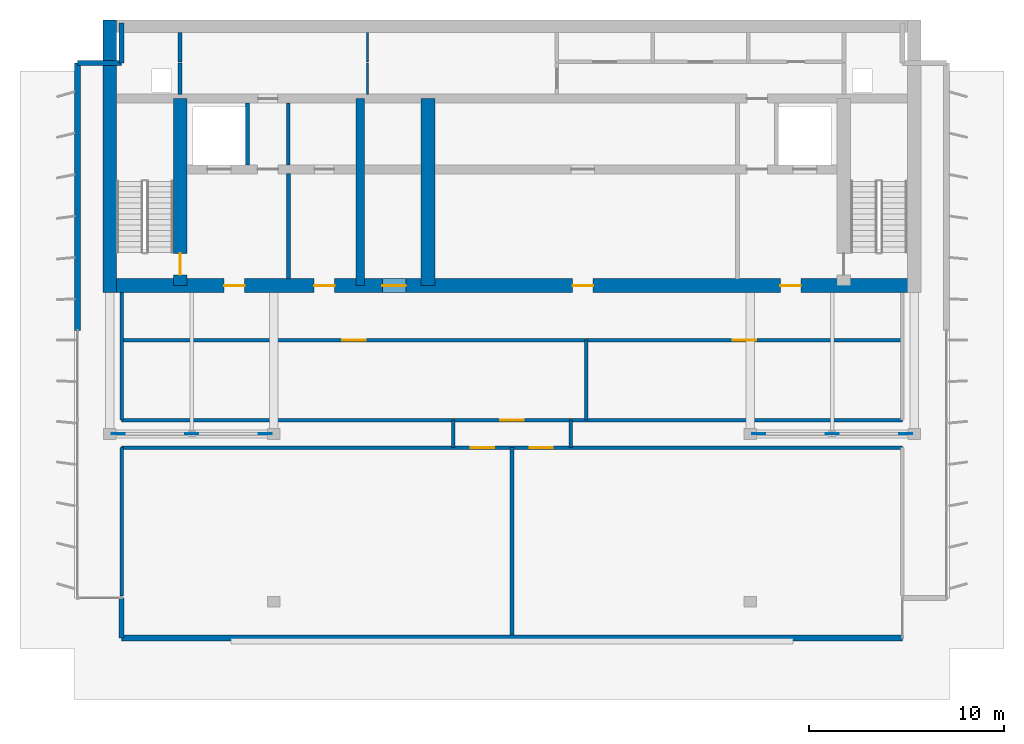
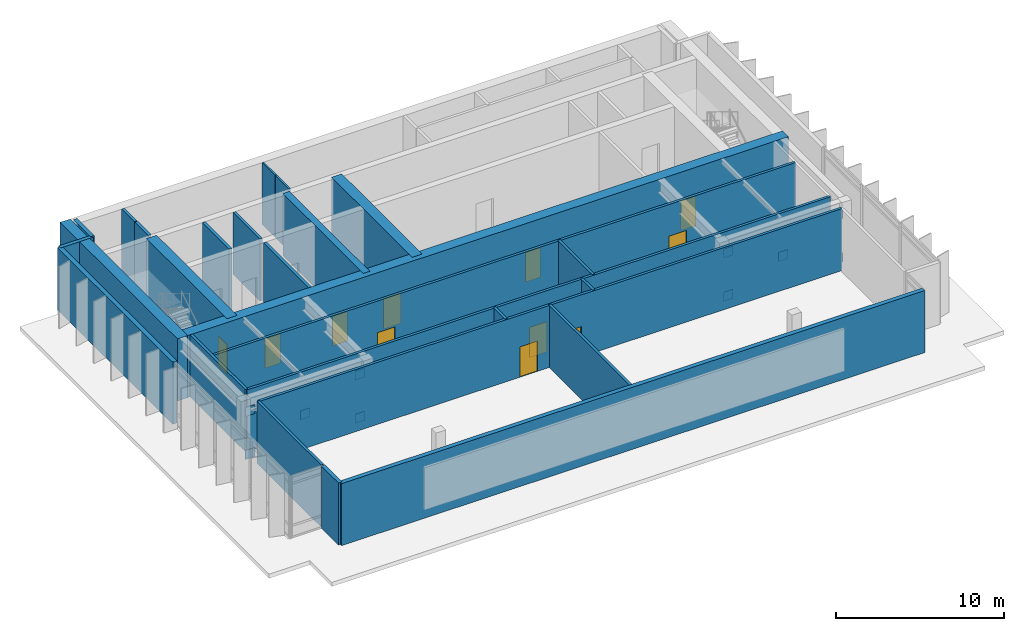
# One storey, part 5 of 10: 26 walls, 11 doors, 10 plates, 11 openings.
"""IFC4 building model written with IfcOpenShell, lengths in metres."""

from ifc_helpers import new_model, si_unit, direction, frame, frame_2d, origin, origin_2d, place, context, subcontext, project, spatial, rectangle, extrude, material, layer, layer_set, type_object, element, fill, save


model = new_model("IFC4")

# Units and contexts
model_context = context("Model", 3, precision=1e-05, world=origin(), true_north=direction((0.0, 1.0)))
body_context = subcontext(model_context, "Body", "Model", "MODEL_VIEW")
ifc_project = project(units=[si_unit("LENGTHUNIT", "METRE"), si_unit("AREAUNIT", "SQUARE_METRE"), si_unit("VOLUMEUNIT", "CUBIC_METRE"), si_unit("PLANEANGLEUNIT", "RADIAN"), si_unit("MASSUNIT", "GRAM", prefix="KILO")], contexts=[model_context])

# Site, building, storey
site_placement = place(None, origin())
site = spatial("IfcSite", under=ifc_project, at=site_placement, CompositionType="ELEMENT")
building_placement = place(site_placement, origin())
building = spatial("IfcBuilding", under=site, at=building_placement, Name="Caelmar Bay Residences", CompositionType="ELEMENT")
storey_placement = place(building_placement, frame((0.0, 0.0, 295.60009765625)))
storey = spatial("IfcBuildingStorey", under=building, at=storey_placement, Name="L81", CompositionType="ELEMENT", Elevation=295.60009765625)

# Plates
ifc_material_1 = material(Name="Steel ASTM A572 Grade 50", Category="steel")
ifc_layer_1 = layer(ifc_material_1, 0.044921875)
ifc_layer_set_1 = layer_set([ifc_layer_1], Name="Steel ASTM A572 Grade 50")
plate_type = type_object("IfcPlateType", Name="PLT-GUS-45", PredefinedType="USERDEFINED", material=ifc_layer_set_1)
for number, where, z_axis, x_axis, name in (
    (1, (22.5, 29.39990234375, 1.56005859375), (0.0, 0.0, 1.0), (1.0, 0.0, 0.0), "L81 Structural Node Gusset Plate PLT-CRN-L81-01X"),
    (2, (18.735107421875, 29.39990234375, -0.005126953125), (0.0, 0.0, 1.0), (1.0, 0.0, 0.0), "L81 Structural Node Gusset Plate PLT-CRN-L81-01BL"),
    (3, (26.264892578125, 29.39990234375, -0.005126953125), (0.0, 0.0, 1.0), (1.0, 0.0, 0.0), "L81 Structural Node Gusset Plate PLT-CRN-L81-01BR"),
    (4, (18.735107421875, 29.39990234375, 3.125), (0.0, 0.0, 1.0), (1.0, 0.0, 0.0), "L81 Structural Node Gusset Plate PLT-CRN-L81-01TL"),
    (5, (26.264892578125, 29.39990234375, 3.125), (0.0, 0.0, 1.0), (1.0, 0.0, 0.0), "L81 Structural Node Gusset Plate PLT-CRN-L81-01TR"),
    (6, (55.300048828125, 29.39990234375, 1.56005859375), (0.0, 0.0, 1.0), (1.0, 0.0, 0.0), "L81 Structural Node Gusset Plate PLT-CRN-L81-02X"),
    (7, (51.534912109375, 29.39990234375, -0.005126953125), (0.0, 0.0, 1.0), (1.0, 0.0, 0.0), "L81 Structural Node Gusset Plate PLT-CRN-L81-02BL"),
    (8, (59.06494140625, 29.39990234375, -0.005126953125), (0.0, 0.0, 1.0), (1.0, 0.0, 0.0), "L81 Structural Node Gusset Plate PLT-CRN-L81-02BR"),
    (9, (51.534912109375, 29.39990234375, 3.125), (0.0, 0.0, 1.0), (1.0, 0.0, 0.0), "L81 Structural Node Gusset Plate PLT-CRN-L81-02TL"),
    (10, (59.06494140625, 29.39990234375, 3.125), (0.0, 0.0, 1.0), (1.0, 0.0, 0.0), "L81 Structural Node Gusset Plate PLT-CRN-L81-02TR"),
):
    element("IfcPlate", number, at=place(storey_placement, frame(where, z_axis=z_axis, x_axis=x_axis)), inside=storey, type_object=plate_type, Name=name, ObjectType="GUSSET_PLATE", PredefinedType="USERDEFINED", context=body_context, shape_type="SweptSolid", body=[
        extrude(rectangle(XDim=0.64990234375, YDim=0.044921875, at=origin_2d()), origin(), (0.0, 0.0, 1.0), 0.64990234375),
    ])

# Wall, openings, doors
ifc_material_2 = material(Name="Concrete f'c 55 MPa (8,000 psi)", Category="concrete")
ifc_layer_2 = layer(ifc_material_2, 0.699951171875)
ifc_layer_set_2 = layer_set([ifc_layer_2], Name="Concrete f'c 55 MPa (8,000 psi)")
wall_type_1 = type_object("IfcWallType", Name="SW-COR-700", PredefinedType="SHEAR", material=ifc_layer_set_2)
wall_1_placement = place(storey_placement, frame((17.949951171875, 37.0, 0.0), z_axis=(0.0, 0.0, 1.0), x_axis=(1.0, 0.0, 0.0)))
wall_1 = element("IfcWall", 11, at=wall_1_placement, inside=storey, type_object=wall_type_1, Name="L81 Rear Core South Shear Wall", PredefinedType="SHEAR", context=body_context, shape_type="SweptSolid", body=[
    extrude(rectangle(XDim=41.900146484375, YDim=0.699951171875, at=frame_2d((20.9501953125, 0.0))), origin(), (0.0, 0.0, 1.0), 4.5),
])
opening_1_placement = place(wall_1_placement, frame((14.3125, 0.0, 0.0)))
opening_1 = element("IfcOpeningElement", 12, at=opening_1_placement, cuts=wall_1, Name="Opening D-L81-103", PredefinedType="OPENING", context=body_context, shape_type="SweptSolid", body=[
    extrude(rectangle(XDim=1.199951171875, YDim=2.199951171875, at=frame_2d((0.60009765625, 1.10009765625))), frame((0.0, 0.35986328125, 0.0), z_axis=(0.0, -1.0, 0.0), x_axis=(1.0, 0.0, 0.0)), (0.0, 0.0, 1.0), 0.719970703125),
])
opening_2_placement = place(wall_1_placement, frame((6.199951171875, 0.0, 0.0)))
opening_2 = element("IfcOpeningElement", 13, at=opening_2_placement, cuts=wall_1, Name="Opening D-L81-104", PredefinedType="OPENING", context=body_context, shape_type="SweptSolid", body=[
    extrude(rectangle(XDim=1.050048828125, YDim=2.14990234375, at=frame_2d((0.52490234375, 1.074951171875))), frame((0.0, 0.35986328125, 0.0), z_axis=(0.0, -1.0, 0.0), x_axis=(1.0, 0.0, 0.0)), (0.0, 0.0, 1.0), 0.719970703125),
])
opening_3_placement = place(wall_1_placement, frame((34.699951171875, 0.0, 0.0)))
opening_3 = element("IfcOpeningElement", 14, at=opening_3_placement, cuts=wall_1, Name="Opening D-L81-107", PredefinedType="OPENING", context=body_context, shape_type="SweptSolid", body=[
    extrude(rectangle(XDim=1.050048828125, YDim=2.14990234375, at=frame_2d((0.52490234375, 1.074951171875))), frame((0.0, 0.35986328125, 0.0), z_axis=(0.0, -1.0, 0.0), x_axis=(1.0, 0.0, 0.0)), (0.0, 0.0, 1.0), 0.719970703125),
])
opening_4_placement = place(wall_1_placement, frame((10.8125, 0.0, 0.0)))
opening_4 = element("IfcOpeningElement", 15, at=opening_4_placement, cuts=wall_1, Name="Opening D-L81-110", PredefinedType="OPENING", context=body_context, shape_type="SweptSolid", body=[
    extrude(rectangle(XDim=1.050048828125, YDim=2.14990234375, at=frame_2d((0.52490234375, 1.074951171875))), frame((0.0, 0.35986328125, 0.0), z_axis=(0.0, -1.0, 0.0), x_axis=(1.0, 0.0, 0.0)), (0.0, 0.0, 1.0), 0.719970703125),
])
opening_5_placement = place(wall_1_placement, frame((24.050048828125, 0.0, 0.0)))
opening_5 = element("IfcOpeningElement", 16, at=opening_5_placement, cuts=wall_1, Name="Opening D-L81-112", PredefinedType="OPENING", context=body_context, shape_type="SweptSolid", body=[
    extrude(rectangle(XDim=1.050048828125, YDim=2.14990234375, at=frame_2d((0.52490234375, 1.074951171875))), frame((0.0, 0.35986328125, 0.0), z_axis=(0.0, -1.0, 0.0), x_axis=(1.0, 0.0, 0.0)), (0.0, 0.0, 1.0), 0.719970703125),
])
ifc_material_3 = material(Name="Fire-rated steel and walnut architectural door assembly", Category="steel")
ifc_layer_3 = layer(ifc_material_3, 0.050048828125)
ifc_layer_set_3 = layer_set([ifc_layer_3], Name="Fire-rated steel and walnut architectural door assembly")
door_type_1 = type_object("IfcDoorType", Name="D-FSAE-1050", OperationType="NOTDEFINED", PredefinedType="DOOR", material=ifc_layer_set_3)
door_1_placement = place(opening_2_placement, origin())
door_1 = element("IfcDoor", 17, at=door_1_placement, inside=storey, type_object=door_type_1, Name="L81 Firefighting Lobby West Door", OperationType="SINGLE_SWING_LEFT", OverallHeight=2.14990234375, OverallWidth=1.050048828125, PredefinedType="DOOR", context=body_context, shape_type="SweptSolid", body=[
    extrude(rectangle(XDim=1.050048828125, YDim=2.14990234375, at=frame_2d((0.52490234375, 1.074951171875))), frame((0.0, 0.02490234375, 0.0), z_axis=(0.0, -1.0, 0.0), x_axis=(1.0, 0.0, 0.0)), (0.0, 0.0, 1.0), 0.050048828125),
])
fill(opening_2, door_1)
door_2_placement = place(opening_3_placement, origin())
door_2 = element("IfcDoor", 18, at=door_2_placement, inside=storey, type_object=door_type_1, Name="L81 Firefighting Lobby East Door", OperationType="SINGLE_SWING_RIGHT", OverallHeight=2.14990234375, OverallWidth=1.050048828125, PredefinedType="DOOR", context=body_context, shape_type="SweptSolid", body=[
    extrude(rectangle(XDim=1.050048828125, YDim=2.14990234375, at=frame_2d((0.52490234375, 1.074951171875))), frame((0.0, 0.02490234375, 0.0), z_axis=(0.0, -1.0, 0.0), x_axis=(1.0, 0.0, 0.0)), (0.0, 0.0, 1.0), 0.050048828125),
])
fill(opening_3, door_2)
door_3_placement = place(opening_4_placement, origin())
door_3 = element("IfcDoor", 19, at=door_3_placement, inside=storey, type_object=door_type_1, Name="L81 West Lift Lobby Door", OperationType="SINGLE_SWING_LEFT", OverallHeight=2.14990234375, OverallWidth=1.050048828125, PredefinedType="DOOR", context=body_context, shape_type="SweptSolid", body=[
    extrude(rectangle(XDim=1.050048828125, YDim=2.14990234375, at=frame_2d((0.52490234375, 1.074951171875))), frame((0.0, 0.02490234375, 0.0), z_axis=(0.0, -1.0, 0.0), x_axis=(1.0, 0.0, 0.0)), (0.0, 0.0, 1.0), 0.050048828125),
])
fill(opening_4, door_3)
door_4_placement = place(opening_5_placement, origin())
door_4 = element("IfcDoor", 20, at=door_4_placement, inside=storey, type_object=door_type_1, Name="L81 Passenger Lift Lobby Door", OperationType="SINGLE_SWING_LEFT", OverallHeight=2.14990234375, OverallWidth=1.050048828125, PredefinedType="DOOR", context=body_context, shape_type="SweptSolid", body=[
    extrude(rectangle(XDim=1.050048828125, YDim=2.14990234375, at=frame_2d((0.52490234375, 1.074951171875))), frame((0.0, 0.02490234375, 0.0), z_axis=(0.0, -1.0, 0.0), x_axis=(1.0, 0.0, 0.0)), (0.0, 0.0, 1.0), 0.050048828125),
])
fill(opening_5, door_4)
ifc_layer_4 = layer(ifc_material_3, 0.050048828125)
ifc_layer_set_4 = layer_set([ifc_layer_4], Name="Fire-rated steel and walnut architectural door assembly")
door_type_2 = type_object("IfcDoorType", Name="D-PLANT-1200", OperationType="NOTDEFINED", PredefinedType="DOOR", material=ifc_layer_set_4)
door_5_placement = place(opening_1_placement, origin())
door_5 = element("IfcDoor", 21, at=door_5_placement, inside=storey, type_object=door_type_2, Name="L81 Crown Pressurisation Fan Room Door", OperationType="SINGLE_SWING_RIGHT", OverallHeight=2.199951171875, OverallWidth=1.199951171875, PredefinedType="DOOR", context=body_context, shape_type="SweptSolid", body=[
    extrude(rectangle(XDim=1.199951171875, YDim=2.199951171875, at=frame_2d((0.60009765625, 1.10009765625))), frame((0.0, 0.02490234375, 0.0), z_axis=(0.0, -1.0, 0.0), x_axis=(1.0, 0.0, 0.0)), (0.0, 0.0, 1.0), 0.050048828125),
])
fill(opening_1, door_5)

# Wall
wall_2_placement = place(storey_placement, frame((18.300048828125, 36.64990234375, 0.0), z_axis=(0.0, 0.0, 1.0), x_axis=(0.0, 1.0, 0.0)))
element("IfcWall", 22, at=wall_2_placement, inside=storey, type_object=wall_type_1, Name="L81 Rear Core West Shear Wall", PredefinedType="SHEAR", context=body_context, shape_type="SweptSolid", body=[
    extrude(rectangle(XDim=13.9501953125, YDim=0.699951171875, at=frame_2d((6.97509765625, 0.0))), origin(), (0.0, 0.0, 1.0), 4.5),
])

# Wall, opening, door
wall_3_placement = place(storey_placement, frame((21.89990234375, 37.0, 0.0), z_axis=(0.0, 0.0, 1.0), x_axis=(0.0, 1.0, 0.0)))
wall_3 = element("IfcWall", 23, at=wall_3_placement, inside=storey, type_object=wall_type_1, Name="L81 Core Structural Web Wall ST1E", PredefinedType="SHEAR", context=body_context, shape_type="SweptSolid", body=[
    extrude(rectangle(XDim=9.574951171875, YDim=0.699951171875, at=frame_2d((4.78759765625, 0.0))), origin(), (0.0, 0.0, 1.0), 4.5),
])
opening_6_placement = place(wall_3_placement, frame((0.550048828125, 0.0, 0.0)))
opening_6 = element("IfcOpeningElement", 24, at=opening_6_placement, cuts=wall_3, Name="Opening D-L81-105", PredefinedType="OPENING", context=body_context, shape_type="SweptSolid", body=[
    extrude(rectangle(XDim=1.10009765625, YDim=2.14990234375, at=frame_2d((0.550048828125, 1.074951171875))), frame((0.0, 0.35986328125, 0.0), z_axis=(0.0, -1.0, 0.0), x_axis=(1.0, 0.0, 0.0)), (0.0, 0.0, 1.0), 0.719970703125),
])
ifc_layer_5 = layer(ifc_material_3, 0.050048828125)
ifc_layer_set_5 = layer_set([ifc_layer_5], Name="Fire-rated steel and walnut architectural door assembly")
door_type_3 = type_object("IfcDoorType", Name="D-STAIR-1100", OperationType="NOTDEFINED", PredefinedType="DOOR", material=ifc_layer_set_5)
door_6_placement = place(opening_6_placement, origin())
door_6 = element("IfcDoor", 25, at=door_6_placement, inside=storey, type_object=door_type_3, Name="L81 Firefighting Lobby West Door", OperationType="SINGLE_SWING_RIGHT", OverallHeight=2.14990234375, OverallWidth=1.10009765625, PredefinedType="DOOR", context=body_context, shape_type="SweptSolid", body=[
    extrude(rectangle(XDim=1.10009765625, YDim=2.14990234375, at=frame_2d((0.550048828125, 1.074951171875))), frame((0.0, 0.02490234375, 0.0), z_axis=(0.0, -1.0, 0.0), x_axis=(1.0, 0.0, 0.0)), (0.0, 0.0, 1.0), 0.050048828125),
])
fill(opening_6, door_6)

# Walls
wall_4_placement = place(storey_placement, frame((34.60009765625, 37.0, 0.0), z_axis=(0.0, 0.0, 1.0), x_axis=(0.0, 1.0, 0.0)))
element("IfcWall", 26, at=wall_4_placement, inside=storey, type_object=wall_type_1, Name="L81 Core Structural Web Wall ST3E", PredefinedType="SHEAR", context=body_context, shape_type="SweptSolid", body=[
    extrude(rectangle(XDim=9.574951171875, YDim=0.699951171875, at=frame_2d((4.78759765625, 0.0))), origin(), (0.0, 0.0, 1.0), 4.5),
])
ifc_material_4 = material(Name="Concrete f'c 70 MPa (10,000 psi)", Category="concrete")
ifc_layer_6 = layer(ifc_material_4, 0.449951171875)
ifc_layer_set_6 = layer_set([ifc_layer_6], Name="Concrete f'c 70 MPa (10,000 psi)")
wall_type_2 = type_object("IfcWallType", Name="SW-WEB-450", PredefinedType="SHEAR", material=ifc_layer_set_6)
wall_5_placement = place(storey_placement, frame((31.125, 37.0, 0.0), z_axis=(0.0, 0.0, 1.0), x_axis=(0.0, 1.0, 0.0)))
element("IfcWall", 27, at=wall_5_placement, inside=storey, type_object=wall_type_2, Name="L81 Core Structural Web Wall ST3W", PredefinedType="SHEAR", context=body_context, shape_type="SweptSolid", body=[
    extrude(rectangle(XDim=9.574951171875, YDim=0.449951171875, at=frame_2d((4.78759765625, 0.0))), origin(), (0.0, 0.0, 1.0), 4.5),
])
ifc_material_5 = material(Name="Double-stud acoustic fire-rated gypsum partition 180 mm")
ifc_layer_7 = layer(ifc_material_5, 0.179931640625)
ifc_layer_set_7 = layer_set([ifc_layer_7], Name="Double-stud acoustic fire-rated gypsum partition 180 mm")
wall_type_3 = type_object("IfcWallType", Name="W-COR-200", PredefinedType="PARTITIONING", material=ifc_layer_set_7)
wall_6_placement = place(storey_placement, frame((18.89990234375, 21.0849609375, 0.0), z_axis=(0.0, 0.0, 1.0), x_axis=(0.0, 1.0, 0.0)))
element("IfcWall", 28, at=wall_6_placement, inside=storey, type_object=wall_type_3, Name="L81 Partition Wall V001", PredefinedType="PARTITIONING", context=body_context, shape_type="SweptSolid", body=[
    extrude(rectangle(XDim=7.614990234375, YDim=0.179931640625, at=frame_2d((3.8076171875, 0.0))), origin(), (0.0, 0.0, 1.0), 4.5),
])
wall_7_placement = place(storey_placement, frame((18.89990234375, 30.10009765625, 0.0), z_axis=(0.0, 0.0, 1.0), x_axis=(0.0, 1.0, 0.0)))
element("IfcWall", 29, at=wall_7_placement, inside=storey, type_object=wall_type_3, Name="L81 Partition Wall V002", PredefinedType="PARTITIONING", context=body_context, shape_type="SweptSolid", body=[
    extrude(rectangle(XDim=6.554931640625, YDim=0.179931640625, at=frame_2d((3.27734375, 0.0))), origin(), (0.0, 0.0, 1.0), 4.5),
])
wall_8_placement = place(storey_placement, frame((27.449951171875, 43.169921875, 0.0), z_axis=(0.0, 0.0, 1.0), x_axis=(0.0, 1.0, 0.0)))
element("IfcWall", 30, at=wall_8_placement, inside=storey, type_object=wall_type_3, Name="L81 Partition Wall V007", PredefinedType="PARTITIONING", context=body_context, shape_type="SweptSolid", body=[
    extrude(rectangle(XDim=3.18505859375, YDim=0.179931640625, at=frame_2d((1.592529296875, 0.0))), origin(), (0.0, 0.0, 1.0), 4.5),
])
wall_9_placement = place(storey_placement, frame((35.89990234375, 28.699951171875, 0.0), z_axis=(0.0, 0.0, 1.0), x_axis=(0.0, 1.0, 0.0)))
element("IfcWall", 31, at=wall_9_placement, inside=storey, type_object=wall_type_3, Name="L81 Partition Wall V010", PredefinedType="PARTITIONING", context=body_context, shape_type="SweptSolid", body=[
    extrude(rectangle(XDim=1.400146484375, YDim=0.179931640625, at=frame_2d((0.7001953125, 0.0))), origin(), (0.0, 0.0, 1.0), 4.5),
])
wall_10_placement = place(storey_placement, frame((38.89990234375, 19.094970703125, 0.0), z_axis=(0.0, 0.0, 1.0), x_axis=(0.0, 1.0, 0.0)))
element("IfcWall", 32, at=wall_10_placement, inside=storey, type_object=wall_type_3, Name="L81 Partition Wall V011", PredefinedType="PARTITIONING", context=body_context, shape_type="SweptSolid", body=[
    extrude(rectangle(XDim=9.60498046875, YDim=0.179931640625, at=frame_2d((4.802490234375, 0.0))), origin(), (0.0, 0.0, 1.0), 4.5),
])
wall_11_placement = place(storey_placement, frame((41.89990234375, 28.699951171875, 0.0), z_axis=(0.0, 0.0, 1.0), x_axis=(0.0, 1.0, 0.0)))
element("IfcWall", 33, at=wall_11_placement, inside=storey, type_object=wall_type_3, Name="L81 Partition Wall V014", PredefinedType="PARTITIONING", context=body_context, shape_type="SweptSolid", body=[
    extrude(rectangle(XDim=1.400146484375, YDim=0.179931640625, at=frame_2d((0.7001953125, 0.0))), origin(), (0.0, 0.0, 1.0), 4.5),
])
wall_12_placement = place(storey_placement, frame((42.699951171875, 30.10009765625, 0.0), z_axis=(0.0, 0.0, 1.0), x_axis=(0.0, 1.0, 0.0)))
element("IfcWall", 34, at=wall_12_placement, inside=storey, type_object=wall_type_3, Name="L81 Partition Wall V015", PredefinedType="PARTITIONING", context=body_context, shape_type="SweptSolid", body=[
    extrude(rectangle(XDim=4.099853515625, YDim=0.179931640625, at=frame_2d((2.0498046875, 0.0))), origin(), (0.0, 0.0, 1.0), 4.5),
])

# Wall, openings, doors
wall_13_placement = place(storey_placement, frame((18.89990234375, 28.699951171875, 0.0), z_axis=(0.0, 0.0, 1.0), x_axis=(1.0, 0.0, 0.0)))
wall_13 = element("IfcWall", 35, at=wall_13_placement, inside=storey, type_object=wall_type_3, Name="L81 Partition Wall H025", PredefinedType="PARTITIONING", context=body_context, shape_type="SweptSolid", body=[
    extrude(rectangle(XDim=40.0, YDim=0.179931640625, at=frame_2d((20.0, 0.0))), origin(), (0.0, 0.0, 1.0), 4.5),
])
opening_7_placement = place(wall_13_placement, frame((17.89990234375, 0.0, 0.0)))
opening_7 = element("IfcOpeningElement", 36, at=opening_7_placement, cuts=wall_13, Name="Opening D-L81-123", PredefinedType="OPENING", context=body_context, shape_type="SweptSolid", body=[
    extrude(rectangle(XDim=1.199951171875, YDim=2.199951171875, at=frame_2d((0.60009765625, 1.10009765625))), frame((0.0, 0.099853515625, 0.0), z_axis=(0.0, -1.0, 0.0), x_axis=(1.0, 0.0, 0.0)), (0.0, 0.0, 1.0), 0.199951171875),
])
opening_8_placement = place(wall_13_placement, frame((20.89990234375, 0.0, 0.0)))
opening_8 = element("IfcOpeningElement", 37, at=opening_8_placement, cuts=wall_13, Name="Opening D-L81-124", PredefinedType="OPENING", context=body_context, shape_type="SweptSolid", body=[
    extrude(rectangle(XDim=1.199951171875, YDim=2.199951171875, at=frame_2d((0.60009765625, 1.10009765625))), frame((0.0, 0.099853515625, 0.0), z_axis=(0.0, -1.0, 0.0), x_axis=(1.0, 0.0, 0.0)), (0.0, 0.0, 1.0), 0.199951171875),
])
door_7_placement = place(opening_7_placement, origin())
door_7 = element("IfcDoor", 38, at=door_7_placement, inside=storey, type_object=door_type_2, Name="L81 Crown Heat Recovery Plant Room L81 Door", OperationType="SINGLE_SWING_RIGHT", OverallHeight=2.199951171875, OverallWidth=1.199951171875, PredefinedType="DOOR", context=body_context, shape_type="SweptSolid", body=[
    extrude(rectangle(XDim=1.199951171875, YDim=2.199951171875, at=frame_2d((0.60009765625, 1.10009765625))), frame((0.0, 0.02490234375, 0.0), z_axis=(0.0, -1.0, 0.0), x_axis=(1.0, 0.0, 0.0)), (0.0, 0.0, 1.0), 0.050048828125),
])
fill(opening_7, door_7)
door_8_placement = place(opening_8_placement, origin())
door_8 = element("IfcDoor", 39, at=door_8_placement, inside=storey, type_object=door_type_2, Name="L81 Crown Electrical Switchgear Plant Room L81 Door", OperationType="SINGLE_SWING_LEFT", OverallHeight=2.199951171875, OverallWidth=1.199951171875, PredefinedType="DOOR", context=body_context, shape_type="SweptSolid", body=[
    extrude(rectangle(XDim=1.199951171875, YDim=2.199951171875, at=frame_2d((0.60009765625, 1.10009765625))), frame((0.0, 0.02490234375, 0.0), z_axis=(0.0, -1.0, 0.0), x_axis=(1.0, 0.0, 0.0)), (0.0, 0.0, 1.0), 0.050048828125),
])
fill(opening_8, door_8)

# Wall, opening, door
wall_14_placement = place(storey_placement, frame((18.89990234375, 30.10009765625, 0.0), z_axis=(0.0, 0.0, 1.0), x_axis=(1.0, 0.0, 0.0)))
wall_14 = element("IfcWall", 40, at=wall_14_placement, inside=storey, type_object=wall_type_3, Name="L81 Partition Wall H026", PredefinedType="PARTITIONING", context=body_context, shape_type="SweptSolid", body=[
    extrude(rectangle(XDim=40.0, YDim=0.179931640625, at=frame_2d((20.0, 0.0))), origin(), (0.0, 0.0, 1.0), 4.5),
])
opening_9_placement = place(wall_14_placement, frame((19.39990234375, 0.0, 0.0)))
opening_9 = element("IfcOpeningElement", 41, at=opening_9_placement, cuts=wall_14, Name="Opening D-L81-122", PredefinedType="OPENING", context=body_context, shape_type="SweptSolid", body=[
    extrude(rectangle(XDim=1.199951171875, YDim=2.199951171875, at=frame_2d((0.60009765625, 1.10009765625))), frame((0.0, 0.099853515625, 0.0), z_axis=(0.0, -1.0, 0.0), x_axis=(1.0, 0.0, 0.0)), (0.0, 0.0, 1.0), 0.199951171875),
])
door_9_placement = place(opening_9_placement, origin())
door_9 = element("IfcDoor", 42, at=door_9_placement, inside=storey, type_object=door_type_2, Name="L81 Crown Duct Plant Room L81 Door", OperationType="SINGLE_SWING_LEFT", OverallHeight=2.199951171875, OverallWidth=1.199951171875, PredefinedType="DOOR", context=body_context, shape_type="SweptSolid", body=[
    extrude(rectangle(XDim=1.199951171875, YDim=2.199951171875, at=frame_2d((0.60009765625, 1.10009765625))), frame((0.0, 0.02490234375, 0.0), z_axis=(0.0, -1.0, 0.0), x_axis=(1.0, 0.0, 0.0)), (0.0, 0.0, 1.0), 0.050048828125),
])
fill(opening_9, door_9)

# Wall, openings, doors
wall_15_placement = place(storey_placement, frame((18.89990234375, 34.199951171875, 0.0), z_axis=(0.0, 0.0, 1.0), x_axis=(1.0, 0.0, 0.0)))
wall_15 = element("IfcWall", 43, at=wall_15_placement, inside=storey, type_object=wall_type_3, Name="L81 Partition Wall H027", PredefinedType="PARTITIONING", context=body_context, shape_type="SweptSolid", body=[
    extrude(rectangle(XDim=40.0, YDim=0.179931640625, at=frame_2d((20.0, 0.0))), origin(), (0.0, 0.0, 1.0), 4.5),
])
opening_10_placement = place(wall_15_placement, frame((11.300048828125, 0.0, 0.0)))
opening_10 = element("IfcOpeningElement", 44, at=opening_10_placement, cuts=wall_15, Name="Opening D-L81-120", PredefinedType="OPENING", context=body_context, shape_type="SweptSolid", body=[
    extrude(rectangle(XDim=1.199951171875, YDim=2.199951171875, at=frame_2d((0.60009765625, 1.10009765625))), frame((0.0, 0.099853515625, 0.0), z_axis=(0.0, -1.0, 0.0), x_axis=(1.0, 0.0, 0.0)), (0.0, 0.0, 1.0), 0.199951171875),
])
opening_11_placement = place(wall_15_placement, frame((31.300048828125, 0.0, 0.0)))
opening_11 = element("IfcOpeningElement", 45, at=opening_11_placement, cuts=wall_15, Name="Opening D-L81-121", PredefinedType="OPENING", context=body_context, shape_type="SweptSolid", body=[
    extrude(rectangle(XDim=1.199951171875, YDim=2.199951171875, at=frame_2d((0.60009765625, 1.10009765625))), frame((0.0, 0.099853515625, 0.0), z_axis=(0.0, -1.0, 0.0), x_axis=(1.0, 0.0, 0.0)), (0.0, 0.0, 1.0), 0.199951171875),
])
door_10_placement = place(opening_10_placement, origin())
door_10 = element("IfcDoor", 46, at=door_10_placement, inside=storey, type_object=door_type_2, Name="L81 Crown Ventilation Plant Room L81 Door", OperationType="SINGLE_SWING_LEFT", OverallHeight=2.199951171875, OverallWidth=1.199951171875, PredefinedType="DOOR", context=body_context, shape_type="SweptSolid", body=[
    extrude(rectangle(XDim=1.199951171875, YDim=2.199951171875, at=frame_2d((0.60009765625, 1.10009765625))), frame((0.0, 0.02490234375, 0.0), z_axis=(0.0, -1.0, 0.0), x_axis=(1.0, 0.0, 0.0)), (0.0, 0.0, 1.0), 0.050048828125),
])
fill(opening_10, door_10)
door_11_placement = place(opening_11_placement, origin())
door_11 = element("IfcDoor", 47, at=door_11_placement, inside=storey, type_object=door_type_2, Name="L81 Crown Standby Controls Plant Room L81 Door", OperationType="SINGLE_SWING_RIGHT", OverallHeight=2.199951171875, OverallWidth=1.199951171875, PredefinedType="DOOR", context=body_context, shape_type="SweptSolid", body=[
    extrude(rectangle(XDim=1.199951171875, YDim=2.199951171875, at=frame_2d((0.60009765625, 1.10009765625))), frame((0.0, 0.02490234375, 0.0), z_axis=(0.0, -1.0, 0.0), x_axis=(1.0, 0.0, 0.0)), (0.0, 0.0, 1.0), 0.050048828125),
])
fill(opening_11, door_11)

# Walls
ifc_material_6 = material(Name="Precast concrete f'c 40 MPa (6,000 psi)", Category="concrete")
ifc_layer_8 = layer(ifc_material_6, 0.25)
ifc_layer_set_8 = layer_set([ifc_layer_8], Name="Precast concrete f'c 40 MPa (6,000 psi)")
wall_type_4 = type_object("IfcWallType", Name="W-EXT-250", PredefinedType="ELEMENTEDWALL", material=ifc_layer_set_8)
wall_16_placement = place(storey_placement, frame((18.89990234375, 21.0, 0.0), z_axis=(0.0, 0.0, 1.0), x_axis=(0.0, -1.0, 0.0)))
element("IfcWall", 48, at=wall_16_placement, inside=storey, type_object=wall_type_4, Name="L81 SW Notch Return Wall", PredefinedType="ELEMENTEDWALL", context=body_context, shape_type="SweptSolid", body=[
    extrude(rectangle(XDim=2.050048828125, YDim=0.25, at=frame_2d((1.02490234375, 0.0))), origin(), (0.0, 0.0, 1.0), 4.5),
])
wall_17_placement = place(storey_placement, frame((16.64990234375, 48.39990234375, 0.0), z_axis=(0.0, 0.0, 1.0), x_axis=(1.0, 0.0, 0.0)))
element("IfcWall", 49, at=wall_17_placement, inside=storey, type_object=wall_type_4, Name="L81 NNW-H Notch Wall", PredefinedType="ELEMENTEDWALL", context=body_context, shape_type="SweptSolid", body=[
    extrude(rectangle(XDim=2.25, YDim=0.25, at=frame_2d((1.125, 0.0))), origin(), (0.0, 0.0, 1.0), 4.5),
])
wall_18_placement = place(storey_placement, frame((18.89990234375, 48.39990234375, 0.0), z_axis=(0.0, 0.0, 1.0), x_axis=(0.0, 1.0, 0.0)))
element("IfcWall", 50, at=wall_18_placement, inside=storey, type_object=wall_type_4, Name="L81 NNW-V Notch Wall", PredefinedType="ELEMENTEDWALL", context=body_context, shape_type="SweptSolid", body=[
    extrude(rectangle(XDim=2.050048828125, YDim=0.25, at=frame_2d((1.02490234375, 0.0))), origin(), (0.0, 0.0, 1.0), 4.5),
])
ifc_layer_9 = layer(ifc_material_6, 0.300048828125)
ifc_layer_set_9 = layer_set([ifc_layer_9], Name="Precast concrete f'c 40 MPa (6,000 psi)")
wall_type_5 = type_object("IfcWallType", Name="W-EXT-300", PredefinedType="STANDARD", material=ifc_layer_set_9)
wall_19_placement = place(storey_placement, frame((58.89990234375, 18.949951171875, 0.0), z_axis=(0.0, 0.0, 1.0), x_axis=(-1.0, 0.0, 0.0)))
element("IfcWall", 51, at=wall_19_placement, inside=storey, type_object=wall_type_5, Name="L81 South Bayfront Exterior Wall", PredefinedType="STANDARD", context=body_context, shape_type="SweptSolid", body=[
    extrude(rectangle(XDim=40.0, YDim=0.300048828125, at=frame_2d((20.0, 0.0))), origin(), (0.0, 0.0, 1.0), 4.5),
])
wall_20_placement = place(storey_placement, frame((16.64990234375, 34.699951171875, 0.0), z_axis=(0.0, 0.0, 1.0), x_axis=(0.0, 1.0, 0.0)))
element("IfcWall", 52, at=wall_20_placement, inside=storey, type_object=wall_type_5, Name="L81 West Rear Exterior Wall", PredefinedType="STANDARD", context=body_context, shape_type="SweptSolid", body=[
    extrude(rectangle(XDim=13.699951171875, YDim=0.300048828125, at=frame_2d((6.85009765625, 0.0))), origin(), (0.0, 0.0, 1.0), 4.5),
])
ifc_material_7 = material(Name="Fire-rated masonry and gypsum shaftliner assembly 200 mm", Category="masonry")
ifc_layer_10 = layer(ifc_material_7, 0.199951171875)
ifc_layer_set_10 = layer_set([ifc_layer_10], Name="Fire-rated masonry and gypsum shaftliner assembly 200 mm")
wall_type_6 = type_object("IfcWallType", Name="W-FSAE-200", PredefinedType="PARTITIONING", material=ifc_layer_set_10)
wall_21_placement = place(storey_placement, frame((21.89990234375, 46.794921875, 0.0), z_axis=(0.0, 0.0, 1.0), x_axis=(0.0, 1.0, 0.0)))
element("IfcWall", 53, at=wall_21_placement, inside=storey, type_object=wall_type_6, Name="L81 Partition Wall V003", PredefinedType="PARTITIONING", context=body_context, shape_type="SweptSolid", body=[
    extrude(rectangle(XDim=1.60498046875, YDim=0.199951171875, at=frame_2d((0.802490234375, 0.0))), origin(), (0.0, 0.0, 1.0), 4.5),
])
wall_22_placement = place(storey_placement, frame((21.89990234375, 48.449951171875, 0.0), z_axis=(0.0, 0.0, 1.0), x_axis=(0.0, 1.0, 0.0)))
element("IfcWall", 54, at=wall_22_placement, inside=storey, type_object=wall_type_6, Name="L81 Partition Wall V004", PredefinedType="PARTITIONING", context=body_context, shape_type="SweptSolid", body=[
    extrude(rectangle(XDim=1.505126953125, YDim=0.199951171875, at=frame_2d((0.75244140625, 0.0))), origin(), (0.0, 0.0, 1.0), 4.5),
])
wall_23_placement = place(storey_placement, frame((25.35009765625, 43.169921875, 0.0), z_axis=(0.0, 0.0, 1.0), x_axis=(0.0, 1.0, 0.0)))
element("IfcWall", 55, at=wall_23_placement, inside=storey, type_object=wall_type_6, Name="L81 Partition Wall V005", PredefinedType="PARTITIONING", context=body_context, shape_type="SweptSolid", body=[
    extrude(rectangle(XDim=3.18505859375, YDim=0.199951171875, at=frame_2d((1.592529296875, 0.0))), origin(), (0.0, 0.0, 1.0), 4.5),
])
wall_24_placement = place(storey_placement, frame((27.449951171875, 37.344970703125, 0.0), z_axis=(0.0, 0.0, 1.0), x_axis=(0.0, 1.0, 0.0)))
element("IfcWall", 56, at=wall_24_placement, inside=storey, type_object=wall_type_6, Name="L81 Partition Wall V006", PredefinedType="PARTITIONING", context=body_context, shape_type="SweptSolid", body=[
    extrude(rectangle(XDim=5.385009765625, YDim=0.199951171875, at=frame_2d((2.6923828125, 0.0))), origin(), (0.0, 0.0, 1.0), 4.5),
])
ifc_material_8 = material(Name="Acoustic metal-stud gypsum partition 120 mm")
ifc_layer_11 = layer(ifc_material_8, 0.1201171875)
ifc_layer_set_11 = layer_set([ifc_layer_11], Name="Acoustic metal-stud gypsum partition 120 mm")
wall_type_7 = type_object("IfcWallType", Name="W-PRT-120", PredefinedType="PARTITIONING", material=ifc_layer_set_11)
wall_25_placement = place(storey_placement, frame((31.5, 46.794921875, 0.0), z_axis=(0.0, 0.0, 1.0), x_axis=(0.0, 1.0, 0.0)))
element("IfcWall", 57, at=wall_25_placement, inside=storey, type_object=wall_type_7, Name="L81 Partition Wall V008", PredefinedType="PARTITIONING", context=body_context, shape_type="SweptSolid", body=[
    extrude(rectangle(XDim=1.60498046875, YDim=0.1201171875, at=frame_2d((0.802490234375, 0.0))), origin(), (0.0, 0.0, 1.0), 4.5),
])
wall_26_placement = place(storey_placement, frame((31.5, 48.449951171875, 0.0), z_axis=(0.0, 0.0, 1.0), x_axis=(0.0, 1.0, 0.0)))
element("IfcWall", 58, at=wall_26_placement, inside=storey, type_object=wall_type_7, Name="L81 Partition Wall V009", PredefinedType="PARTITIONING", context=body_context, shape_type="SweptSolid", body=[
    extrude(rectangle(XDim=1.505126953125, YDim=0.1201171875, at=frame_2d((0.75244140625, 0.0))), origin(), (0.0, 0.0, 1.0), 4.5),
])

save(model, "model.ifc")
